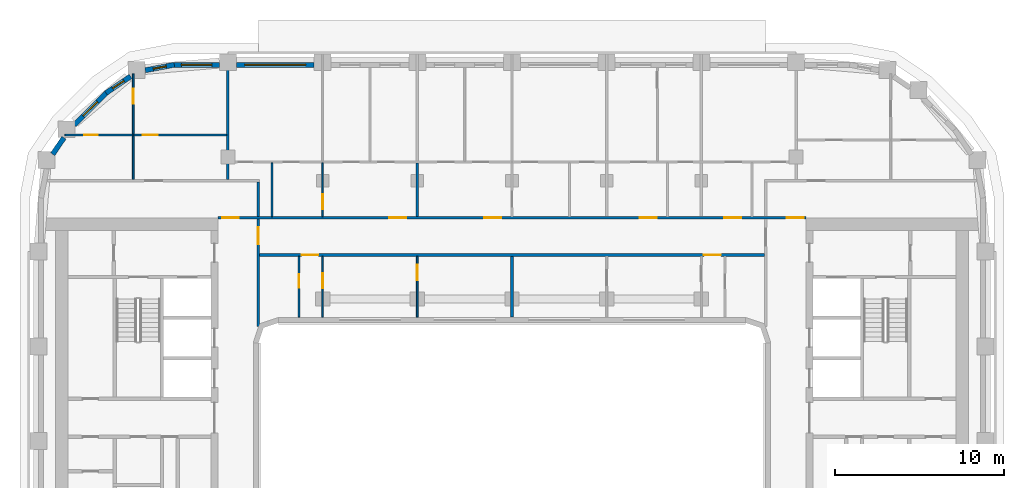
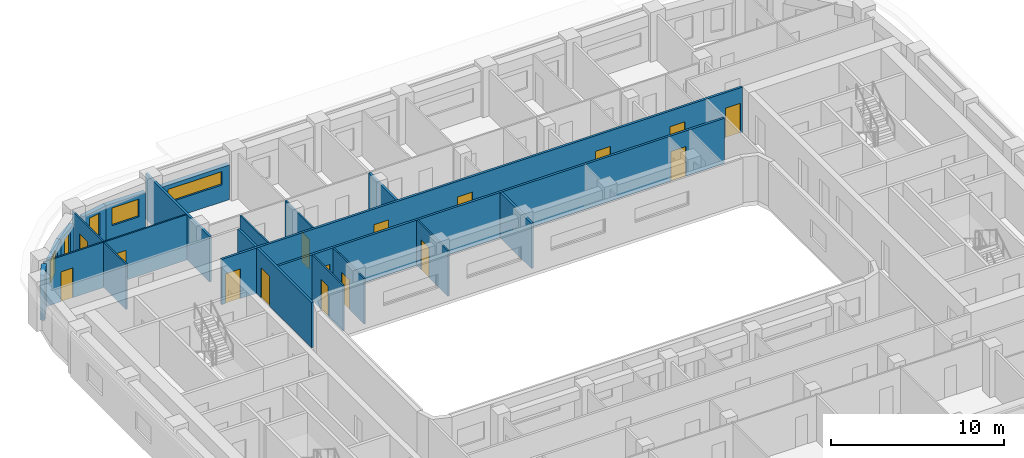
# One storey, part 7 of 22: 21 walls, 16 doors, 5 windows, 21 openings.
"""IFC4 building model written with IfcOpenShell, lengths in metres."""

from ifc_helpers import new_model, si_unit, direction, frame, frame_2d, origin, place, context, subcontext, project, spatial, rectangle, extrude, material, layer, layer_set, type_object, element, fill, save


model = new_model("IFC4")

# Units and contexts
model_context = context("Model", 3, precision=1e-05, world=origin(), true_north=direction((0.0, 1.0)))
body_context = subcontext(model_context, "Body", "Model", "MODEL_VIEW")
ifc_project = project(units=[si_unit("LENGTHUNIT", "METRE"), si_unit("AREAUNIT", "SQUARE_METRE"), si_unit("VOLUMEUNIT", "CUBIC_METRE"), si_unit("PLANEANGLEUNIT", "RADIAN"), si_unit("MASSUNIT", "GRAM", prefix="KILO")], contexts=[model_context])

# Site, building, storey
site_placement = place(None, origin())
site = spatial("IfcSite", under=ifc_project, at=site_placement, CompositionType="ELEMENT")
building_placement = place(site_placement, origin())
building = spatial("IfcBuilding", under=site, at=building_placement, Name="Kiln Ring Residences", CompositionType="ELEMENT")
storey_placement = place(building_placement, frame((0.0, 0.0, 171.10009765625)))
storey = spatial("IfcBuildingStorey", under=building, at=storey_placement, Name="L44", CompositionType="ELEMENT", Elevation=171.10009765625)

# Wall, opening, window
ifc_material_1 = material(Name="Brick masonry, dark clay brick", Category="masonry")
ifc_layer_1 = layer(ifc_material_1, 0.300048828125)
ifc_layer_set_1 = layer_set([ifc_layer_1], Name="EW-300 BRICK WALL")
wall_type_1 = type_object("IfcWallType", Name="EW-300 BRICK WALL", PredefinedType="SOLIDWALL", material=ifc_layer_set_1)
wall_1_placement = place(storey_placement, frame((-11.699951171875, 22.25, 0.0), z_axis=(0.0, 0.0, 1.0), x_axis=(-1.0, 0.0, 0.0)))
wall_1 = element("IfcWall", 1, at=wall_1_placement, inside=storey, type_object=wall_type_1, Name="Facade wall L44 34", PredefinedType="SOLIDWALL", context=body_context, shape_type="SweptSolid", body=[
    extrude(rectangle(XDim=4.60009765625, YDim=0.300048828125, at=frame_2d((2.300048828125, 0.0))), origin(), (0.0, 0.0, 1.0), 2.449951171875),
])
opening_1_placement = place(wall_1_placement, frame((0.5, 0.0, 1.199951171875)))
opening_1 = element("IfcOpeningElement", 2, at=opening_1_placement, cuts=wall_1, Name="Opening W4", PredefinedType="OPENING", context=body_context, shape_type="SweptSolid", body=[
    extrude(rectangle(XDim=3.60009765625, YDim=0.949951171875, at=frame_2d((1.800048828125, 0.47509765625))), frame((0.0, 0.159912109375, 0.0), z_axis=(0.0, -1.0, 0.0), x_axis=(1.0, 0.0, 0.0)), (0.0, 0.0, 1.0), 0.320068359375),
])
ifc_material_2 = material(Name="Aluminium frame with double glazing", Category="aluminium")
window_type_1 = type_object("IfcWindowType", Name="WINDOW 3600 x 950", PartitioningType="SINGLE_PANEL", PredefinedType="WINDOW", material=ifc_material_2)
window_1_placement = place(opening_1_placement, origin())
window_1 = element("IfcWindow", 3, at=window_1_placement, inside=storey, type_object=window_type_1, Name="Window L44 25", OverallHeight=0.949951171875, OverallWidth=3.60009765625, PartitioningType="SINGLE_PANEL", PredefinedType="WINDOW", context=body_context, shape_type="SweptSolid", body=[
    extrude(rectangle(XDim=3.60009765625, YDim=0.949951171875, at=frame_2d((1.800048828125, 0.47509765625))), frame((0.0, 0.030029296875, 0.0), z_axis=(0.0, -1.0, 0.0), x_axis=(1.0, 0.0, 0.0)), (0.0, 0.0, 1.0), 0.06005859375),
])
fill(opening_1, window_1)

wall_2_placement = place(storey_placement, frame((-17.300048828125, 22.25, 0.0), z_axis=(0.0, 0.0, 1.0), x_axis=(-1.0, 0.0, 0.0)))
wall_2 = element("IfcWall", 4, at=wall_2_placement, inside=storey, type_object=wall_type_1, Name="Facade wall L44 35", PredefinedType="SOLIDWALL", context=body_context, shape_type="SweptSolid", body=[
    extrude(rectangle(XDim=2.699951171875, YDim=0.300048828125, at=frame_2d((1.35009765625, 0.0))), origin(), (0.0, 0.0, 1.0), 2.449951171875),
])
opening_2_placement = place(wall_2_placement, frame((0.449951171875, 0.0, 0.89990234375)))
opening_2 = element("IfcOpeningElement", 5, at=opening_2_placement, cuts=wall_2, Name="Opening W2", PredefinedType="OPENING", context=body_context, shape_type="SweptSolid", body=[
    extrude(rectangle(XDim=1.800048828125, YDim=1.25, at=frame_2d((0.89990234375, 0.625))), frame((0.0, 0.159912109375, 0.0), z_axis=(0.0, -1.0, 0.0), x_axis=(1.0, 0.0, 0.0)), (0.0, 0.0, 1.0), 0.320068359375),
])
ifc_material_3 = material(Name="Aluminium frame with double glazing", Category="aluminium")
window_type_2 = type_object("IfcWindowType", Name="WINDOW 1800 x 1250", PartitioningType="SINGLE_PANEL", PredefinedType="WINDOW", material=ifc_material_3)
window_2_placement = place(opening_2_placement, origin())
window_2 = element("IfcWindow", 6, at=window_2_placement, inside=storey, type_object=window_type_2, Name="Window L44 26", OverallHeight=1.25, OverallWidth=1.800048828125, PartitioningType="SINGLE_PANEL", PredefinedType="WINDOW", context=body_context, shape_type="SweptSolid", body=[
    extrude(rectangle(XDim=1.800048828125, YDim=1.25, at=frame_2d((0.89990234375, 0.625))), frame((0.0, 0.030029296875, 0.0), z_axis=(0.0, -1.0, 0.0), x_axis=(1.0, 0.0, 0.0)), (0.0, 0.0, 1.0), 0.06005859375),
])
fill(opening_2, window_2)

wall_3_placement = place(storey_placement, frame((-19.971923828125, 22.252685546875, 0.0), z_axis=(0.0, 0.0, 1.0), x_axis=(-0.982284988433, -0.187393173565, 0.0)))
wall_3 = element("IfcWall", 7, at=wall_3_placement, inside=storey, type_object=wall_type_1, Name="Facade wall L44 36", PredefinedType="SOLIDWALL", context=body_context, shape_type="SweptSolid", body=[
    extrude(rectangle(XDim=1.756103515625, YDim=0.300048828125, at=frame_2d((0.8779296875, 0.0))), origin(), (0.0, 0.0, 1.0), 2.449951171875),
])
opening_3_placement = place(wall_3_placement, frame((0.47802734375, 0.0, 0.60009765625)))
opening_3 = element("IfcOpeningElement", 8, at=opening_3_placement, cuts=wall_3, Name="Opening W5", PredefinedType="OPENING", context=body_context, shape_type="SweptSolid", body=[
    extrude(rectangle(XDim=0.800048828125, YDim=1.550048828125, at=frame_2d((0.39990234375, 0.77490234375))), frame((0.0, 0.159912109375, 0.0), z_axis=(0.0, -1.0, 0.0), x_axis=(1.0, 0.0, 0.0)), (0.0, 0.0, 1.0), 0.320068359375),
])
ifc_material_4 = material(Name="Aluminium frame with double glazing", Category="aluminium")
window_type_3 = type_object("IfcWindowType", Name="WINDOW 800 x 1550", PartitioningType="SINGLE_PANEL", PredefinedType="WINDOW", material=ifc_material_4)
window_3_placement = place(opening_3_placement, origin())
window_3 = element("IfcWindow", 9, at=window_3_placement, inside=storey, type_object=window_type_3, Name="Window L44 27", OverallHeight=1.550048828125, OverallWidth=0.800048828125, PartitioningType="SINGLE_PANEL", PredefinedType="WINDOW", context=body_context, shape_type="SweptSolid", body=[
    extrude(rectangle(XDim=0.800048828125, YDim=1.550048828125, at=frame_2d((0.39990234375, 0.77490234375))), frame((0.0, 0.030029296875, 0.0), z_axis=(0.0, -1.0, 0.0), x_axis=(1.0, 0.0, 0.0)), (0.0, 0.0, 1.0), 0.06005859375),
])
fill(opening_3, window_3)

wall_4_placement = place(storey_placement, frame((-22.560302734375, 21.56591796875, 0.0), z_axis=(0.0, 0.0, 1.0), x_axis=(-0.82707645233, -0.562089443061, 0.0)))
wall_4 = element("IfcWall", 10, at=wall_4_placement, inside=storey, type_object=wall_type_1, Name="Facade wall L44 37", PredefinedType="SOLIDWALL", context=body_context, shape_type="SweptSolid", body=[
    extrude(rectangle(XDim=1.756103515625, YDim=0.300048828125, at=frame_2d((0.8779296875, 0.0))), origin(), (0.0, 0.0, 1.0), 2.449951171875),
])
opening_4_placement = place(wall_4_placement, frame((0.47802734375, 0.0, 0.60009765625)))
opening_4 = element("IfcOpeningElement", 11, at=opening_4_placement, cuts=wall_4, Name="Opening W5", PredefinedType="OPENING", context=body_context, shape_type="SweptSolid", body=[
    extrude(rectangle(XDim=0.800048828125, YDim=1.550048828125, at=frame_2d((0.39990234375, 0.77490234375))), frame((0.0, 0.159912109375, 0.0), z_axis=(0.0, -1.0, 0.0), x_axis=(1.0, 0.0, 0.0)), (0.0, 0.0, 1.0), 0.320068359375),
])
window_4_placement = place(opening_4_placement, origin())
window_4 = element("IfcWindow", 12, at=window_4_placement, inside=storey, type_object=window_type_3, Name="Window L44 28", OverallHeight=1.550048828125, OverallWidth=0.800048828125, PartitioningType="SINGLE_PANEL", PredefinedType="WINDOW", context=body_context, shape_type="SweptSolid", body=[
    extrude(rectangle(XDim=0.800048828125, YDim=1.550048828125, at=frame_2d((0.39990234375, 0.77490234375))), frame((0.0, 0.030029296875, 0.0), z_axis=(0.0, -1.0, 0.0), x_axis=(1.0, 0.0, 0.0)), (0.0, 0.0, 1.0), 0.06005859375),
])
fill(opening_4, window_4)

wall_5_placement = place(storey_placement, frame((-23.990966796875, 20.596923828125, 0.0), z_axis=(0.0, 0.0, 1.0), x_axis=(-0.707106781187, -0.707106781187, 0.0)))
wall_5 = element("IfcWall", 13, at=wall_5_placement, inside=storey, type_object=wall_type_1, Name="Facade wall L44 38", PredefinedType="SOLIDWALL", context=body_context, shape_type="SweptSolid", body=[
    extrude(rectangle(XDim=2.699951171875, YDim=0.300048828125, at=frame_2d((1.35009765625, 0.0))), origin(), (0.0, 0.0, 1.0), 2.449951171875),
])
opening_5_placement = place(wall_5_placement, frame((0.75, 0.0, 0.60009765625)))
opening_5 = element("IfcOpeningElement", 14, at=opening_5_placement, cuts=wall_5, Name="Opening W1", PredefinedType="OPENING", context=body_context, shape_type="SweptSolid", body=[
    extrude(rectangle(XDim=1.199951171875, YDim=1.550048828125, at=frame_2d((0.60009765625, 0.77490234375))), frame((0.0, 0.159912109375, 0.0), z_axis=(0.0, -1.0, 0.0), x_axis=(1.0, 0.0, 0.0)), (0.0, 0.0, 1.0), 0.320068359375),
])
ifc_material_5 = material(Name="Aluminium frame with double glazing", Category="aluminium")
window_type_4 = type_object("IfcWindowType", Name="WINDOW 1200 x 1550", PartitioningType="SINGLE_PANEL", PredefinedType="WINDOW", material=ifc_material_5)
window_5_placement = place(opening_5_placement, origin())
window_5 = element("IfcWindow", 15, at=window_5_placement, inside=storey, type_object=window_type_4, Name="Window L44 29", OverallHeight=1.550048828125, OverallWidth=1.199951171875, PartitioningType="SINGLE_PANEL", PredefinedType="WINDOW", context=body_context, shape_type="SweptSolid", body=[
    extrude(rectangle(XDim=1.199951171875, YDim=1.550048828125, at=frame_2d((0.60009765625, 0.77490234375))), frame((0.0, 0.030029296875, 0.0), z_axis=(0.0, -1.0, 0.0), x_axis=(1.0, 0.0, 0.0)), (0.0, 0.0, 1.0), 0.06005859375),
])
fill(opening_5, window_5)

# Wall
wall_6_placement = place(storey_placement, frame((-26.50439453125, 17.933837890625, 0.0), z_axis=(0.0, 0.0, 1.0), x_axis=(-0.562145470373, -0.827038372833, 0.0)))
element("IfcWall", 16, at=wall_6_placement, inside=storey, type_object=wall_type_1, Name="Facade wall L44 39", PredefinedType="SOLIDWALL", context=body_context, shape_type="SweptSolid", body=[
    extrude(rectangle(XDim=1.177001953125, YDim=0.300048828125, at=frame_2d((0.58837890625, 0.0))), origin(), (0.0, 0.0, 1.0), 3.199951171875),
])

# Wall, openings, doors
ifc_material_6 = material(Name="Gypsum board on steel studs", Category="steel")
ifc_layer_2 = layer(ifc_material_6, 0.10009765625)
ifc_layer_set_2 = layer_set([ifc_layer_2], Name="PARTITION-100")
wall_type_2 = type_object("IfcWallType", Name="PARTITION-100", PredefinedType="PARTITIONING", material=ifc_layer_set_2)
wall_7_placement = place(storey_placement, frame((-26.43994140625, 18.10009765625, 0.0), z_axis=(0.0, 0.0, 1.0), x_axis=(1.0, 0.0, 0.0)))
wall_7 = element("IfcWall", 17, at=wall_7_placement, inside=storey, type_object=wall_type_2, Name="Partition 013", PredefinedType="PARTITIONING", context=body_context, shape_type="SweptSolid", body=[
    extrude(rectangle(XDim=9.56494140625, YDim=0.10009765625, at=frame_2d((4.782470703125, 0.0))), origin(), (0.0, 0.0, 1.0), 3.199951171875),
])
opening_6_placement = place(wall_7_placement, frame((1.1259765625, 0.0, 0.0)))
opening_6 = element("IfcOpeningElement", 18, at=opening_6_placement, cuts=wall_7, Name="Opening L44-D041", PredefinedType="OPENING", context=body_context, shape_type="SweptSolid", body=[
    extrude(rectangle(XDim=0.800048828125, YDim=2.10009765625, at=frame_2d((0.39990234375, 1.050048828125))), frame((0.0, 0.06005859375, 0.0), z_axis=(0.0, -1.0, 0.0), x_axis=(1.0, 0.0, 0.0)), (0.0, 0.0, 1.0), 0.1201171875),
])
opening_7_placement = place(wall_7_placement, frame((4.590087890625, 0.0, 0.0)))
opening_7 = element("IfcOpeningElement", 19, at=opening_7_placement, cuts=wall_7, Name="Opening L44-D042", PredefinedType="OPENING", context=body_context, shape_type="SweptSolid", body=[
    extrude(rectangle(XDim=0.89990234375, YDim=2.10009765625, at=frame_2d((0.449951171875, 1.050048828125))), frame((0.0, 0.06005859375, 0.0), z_axis=(0.0, -1.0, 0.0), x_axis=(1.0, 0.0, 0.0)), (0.0, 0.0, 1.0), 0.1201171875),
])
ifc_material_7 = material(Name="Timber door leaf", Category="wood")
door_type_1 = type_object("IfcDoorType", Name="FLAT-DOOR-800-PL", OperationType="SINGLE_SWING_LEFT", PredefinedType="DOOR", material=ifc_material_7)
door_1_placement = place(opening_6_placement, origin())
door_1 = element("IfcDoor", 20, at=door_1_placement, inside=storey, type_object=door_type_1, Name="Door L44-D041", OperationType="SINGLE_SWING_LEFT", OverallHeight=2.10009765625, OverallWidth=0.800048828125, PredefinedType="DOOR", context=body_context, shape_type="SweptSolid", body=[
    extrude(rectangle(XDim=0.800048828125, YDim=2.10009765625, at=frame_2d((0.39990234375, 1.050048828125))), frame((0.0, 0.02490234375, 0.0), z_axis=(0.0, -1.0, 0.0), x_axis=(1.0, 0.0, 0.0)), (0.0, 0.0, 1.0), 0.050048828125),
])
fill(opening_6, door_1)
ifc_material_8 = material(Name="Timber door leaf", Category="wood")
door_type_2 = type_object("IfcDoorType", Name="FLAT-DOOR-900-PL", OperationType="SINGLE_SWING_LEFT", PredefinedType="DOOR", material=ifc_material_8)
door_2_placement = place(opening_7_placement, origin())
door_2 = element("IfcDoor", 21, at=door_2_placement, inside=storey, type_object=door_type_2, Name="Door L44-D042", OperationType="SINGLE_SWING_RIGHT", OverallHeight=2.10009765625, OverallWidth=0.89990234375, PredefinedType="DOOR", context=body_context, shape_type="SweptSolid", body=[
    extrude(rectangle(XDim=0.89990234375, YDim=2.10009765625, at=frame_2d((0.449951171875, 1.050048828125))), frame((0.0, 0.02490234375, 0.0), z_axis=(0.0, -1.0, 0.0), x_axis=(1.0, 0.0, 0.0)), (0.0, 0.0, 1.0), 0.050048828125),
])
fill(opening_7, door_2)

# Wall
wall_8_placement = place(storey_placement, frame((-22.39990234375, 15.47509765625, 0.0), z_axis=(0.0, 0.0, 1.0), x_axis=(0.0, 1.0, 0.0)))
element("IfcWall", 22, at=wall_8_placement, inside=storey, type_object=wall_type_2, Name="Partition 016", PredefinedType="PARTITIONING", context=body_context, shape_type="SweptSolid", body=[
    extrude(rectangle(XDim=2.574951171875, YDim=0.10009765625, at=frame_2d((1.28759765625, 0.0))), origin(), (0.0, 0.0, 1.0), 3.199951171875),
])

# Wall, opening, door
wall_9_placement = place(storey_placement, frame((-22.39990234375, 18.14990234375, 0.0), z_axis=(0.0, 0.0, 1.0), x_axis=(0.0, 1.0, 0.0)))
wall_9 = element("IfcWall", 23, at=wall_9_placement, inside=storey, type_object=wall_type_2, Name="Partition 017", PredefinedType="PARTITIONING", context=body_context, shape_type="SweptSolid", body=[
    extrude(rectangle(XDim=3.570068359375, YDim=0.10009765625, at=frame_2d((1.78515625, 0.0))), origin(), (0.0, 0.0, 1.0), 3.199951171875),
])
opening_8_placement = place(wall_9_placement, frame((1.798095703125, 0.0, 0.0)))
opening_8 = element("IfcOpeningElement", 24, at=opening_8_placement, cuts=wall_9, Name="Opening L44-D043", PredefinedType="OPENING", context=body_context, shape_type="SweptSolid", body=[
    extrude(rectangle(XDim=0.89990234375, YDim=2.10009765625, at=frame_2d((0.449951171875, 1.050048828125))), frame((0.0, 0.06005859375, 0.0), z_axis=(0.0, -1.0, 0.0), x_axis=(1.0, 0.0, 0.0)), (0.0, 0.0, 1.0), 0.1201171875),
])
door_3_placement = place(opening_8_placement, origin())
door_3 = element("IfcDoor", 25, at=door_3_placement, inside=storey, type_object=door_type_2, Name="Door L44-D043", OperationType="SINGLE_SWING_LEFT", OverallHeight=2.10009765625, OverallWidth=0.89990234375, PredefinedType="DOOR", context=body_context, shape_type="SweptSolid", body=[
    extrude(rectangle(XDim=0.89990234375, YDim=2.10009765625, at=frame_2d((0.449951171875, 1.050048828125))), frame((0.0, 0.02490234375, 0.0), z_axis=(0.0, -1.0, 0.0), x_axis=(1.0, 0.0, 0.0)), (0.0, 0.0, 1.0), 0.050048828125),
])
fill(opening_8, door_3)

# Wall
wall_10_placement = place(storey_placement, frame((-14.199951171875, 13.27490234375, 0.0), z_axis=(0.0, 0.0, 1.0), x_axis=(0.0, 1.0, 0.0)))
element("IfcWall", 26, at=wall_10_placement, inside=storey, type_object=wall_type_2, Name="Partition 024", PredefinedType="PARTITIONING", context=body_context, shape_type="SweptSolid", body=[
    extrude(rectangle(XDim=3.175048828125, YDim=0.10009765625, at=frame_2d((1.58740234375, 0.0))), origin(), (0.0, 0.0, 1.0), 3.199951171875),
])

# Wall, opening, door
wall_11_placement = place(storey_placement, frame((-12.60009765625, 7.320068359375, 0.0), z_axis=(0.0, 0.0, 1.0), x_axis=(0.0, 1.0, 0.0)))
wall_11 = element("IfcWall", 27, at=wall_11_placement, inside=storey, type_object=wall_type_2, Name="Partition 025", PredefinedType="PARTITIONING", context=body_context, shape_type="SweptSolid", body=[
    extrude(rectangle(XDim=3.60498046875, YDim=0.10009765625, at=frame_2d((1.802490234375, 0.0))), origin(), (0.0, 0.0, 1.0), 3.199951171875),
])
opening_9_placement = place(wall_11_placement, frame((1.72900390625, 0.0, 0.0)))
opening_9 = element("IfcOpeningElement", 28, at=opening_9_placement, cuts=wall_11, Name="Opening L44-D010", PredefinedType="OPENING", context=body_context, shape_type="SweptSolid", body=[
    extrude(rectangle(XDim=0.800048828125, YDim=2.10009765625, at=frame_2d((0.39990234375, 1.050048828125))), frame((0.0, 0.06005859375, 0.0), z_axis=(0.0, -1.0, 0.0), x_axis=(1.0, 0.0, 0.0)), (0.0, 0.0, 1.0), 0.1201171875),
])
door_4_placement = place(opening_9_placement, origin())
door_4 = element("IfcDoor", 29, at=door_4_placement, inside=storey, type_object=door_type_1, Name="Door L44-D010", OperationType="SINGLE_SWING_LEFT", OverallHeight=2.10009765625, OverallWidth=0.800048828125, PredefinedType="DOOR", context=body_context, shape_type="SweptSolid", body=[
    extrude(rectangle(XDim=0.800048828125, YDim=2.10009765625, at=frame_2d((0.39990234375, 1.050048828125))), frame((0.0, 0.02490234375, 0.0), z_axis=(0.0, -1.0, 0.0), x_axis=(1.0, 0.0, 0.0)), (0.0, 0.0, 1.0), 0.050048828125),
])
fill(opening_9, door_4)

wall_12_placement = place(storey_placement, frame((-11.199951171875, 7.320068359375, 0.0), z_axis=(0.0, 0.0, 1.0), x_axis=(0.0, 1.0, 0.0)))
wall_12 = element("IfcWall", 30, at=wall_12_placement, inside=storey, type_object=wall_type_2, Name="Partition 029", PredefinedType="PARTITIONING", context=body_context, shape_type="SweptSolid", body=[
    extrude(rectangle(XDim=3.60498046875, YDim=0.10009765625, at=frame_2d((1.802490234375, 0.0))), origin(), (0.0, 0.0, 1.0), 3.199951171875),
])
opening_10_placement = place(wall_12_placement, frame((1.699951171875, 0.0, 0.0)))
opening_10 = element("IfcOpeningElement", 31, at=opening_10_placement, cuts=wall_12, Name="Opening L44-D011", PredefinedType="OPENING", context=body_context, shape_type="SweptSolid", body=[
    extrude(rectangle(XDim=0.89990234375, YDim=2.10009765625, at=frame_2d((0.449951171875, 1.050048828125))), frame((0.0, 0.06005859375, 0.0), z_axis=(0.0, -1.0, 0.0), x_axis=(1.0, 0.0, 0.0)), (0.0, 0.0, 1.0), 0.1201171875),
])
door_5_placement = place(opening_10_placement, origin())
door_5 = element("IfcDoor", 32, at=door_5_placement, inside=storey, type_object=door_type_2, Name="Door L44-D011", OperationType="SINGLE_SWING_RIGHT", OverallHeight=2.10009765625, OverallWidth=0.89990234375, PredefinedType="DOOR", context=body_context, shape_type="SweptSolid", body=[
    extrude(rectangle(XDim=0.89990234375, YDim=2.10009765625, at=frame_2d((0.449951171875, 1.050048828125))), frame((0.0, 0.02490234375, 0.0), z_axis=(0.0, -1.0, 0.0), x_axis=(1.0, 0.0, 0.0)), (0.0, 0.0, 1.0), 0.050048828125),
])
fill(opening_10, door_5)

wall_13_placement = place(storey_placement, frame((-11.199951171875, 13.27490234375, 0.0), z_axis=(0.0, 0.0, 1.0), x_axis=(0.0, 1.0, 0.0)))
wall_13 = element("IfcWall", 33, at=wall_13_placement, inside=storey, type_object=wall_type_2, Name="Partition 030", PredefinedType="PARTITIONING", context=body_context, shape_type="SweptSolid", body=[
    extrude(rectangle(XDim=3.175048828125, YDim=0.10009765625, at=frame_2d((1.58740234375, 0.0))), origin(), (0.0, 0.0, 1.0), 3.199951171875),
])
opening_11_placement = place(wall_13_placement, frame((0.425048828125, 0.0, 0.0)))
opening_11 = element("IfcOpeningElement", 34, at=opening_11_placement, cuts=wall_13, Name="Opening L44-D018", PredefinedType="OPENING", context=body_context, shape_type="SweptSolid", body=[
    extrude(rectangle(XDim=0.89990234375, YDim=2.10009765625, at=frame_2d((0.449951171875, 1.050048828125))), frame((0.0, 0.06005859375, 0.0), z_axis=(0.0, -1.0, 0.0), x_axis=(1.0, 0.0, 0.0)), (0.0, 0.0, 1.0), 0.1201171875),
])
door_6_placement = place(opening_11_placement, origin())
door_6 = element("IfcDoor", 35, at=door_6_placement, inside=storey, type_object=door_type_2, Name="Door L44-D018", OperationType="SINGLE_SWING_RIGHT", OverallHeight=2.10009765625, OverallWidth=0.89990234375, PredefinedType="DOOR", context=body_context, shape_type="SweptSolid", body=[
    extrude(rectangle(XDim=0.89990234375, YDim=2.10009765625, at=frame_2d((0.449951171875, 1.050048828125))), frame((0.0, 0.02490234375, 0.0), z_axis=(0.0, -1.0, 0.0), x_axis=(1.0, 0.0, 0.0)), (0.0, 0.0, 1.0), 0.050048828125),
])
fill(opening_11, door_6)

wall_14_placement = place(storey_placement, frame((-5.60009765625, 7.320068359375, 0.0), z_axis=(0.0, 0.0, 1.0), x_axis=(0.0, 1.0, 0.0)))
wall_14 = element("IfcWall", 36, at=wall_14_placement, inside=storey, type_object=wall_type_2, Name="Partition 034", PredefinedType="PARTITIONING", context=body_context, shape_type="SweptSolid", body=[
    extrude(rectangle(XDim=3.60498046875, YDim=0.10009765625, at=frame_2d((1.802490234375, 0.0))), origin(), (0.0, 0.0, 1.0), 3.199951171875),
])
opening_12_placement = place(wall_14_placement, frame((2.199951171875, 0.0, 0.0)))
opening_12 = element("IfcOpeningElement", 37, at=opening_12_placement, cuts=wall_14, Name="Opening L44-D012", PredefinedType="OPENING", context=body_context, shape_type="SweptSolid", body=[
    extrude(rectangle(XDim=0.89990234375, YDim=2.10009765625, at=frame_2d((0.449951171875, 1.050048828125))), frame((0.0, 0.06005859375, 0.0), z_axis=(0.0, -1.0, 0.0), x_axis=(1.0, 0.0, 0.0)), (0.0, 0.0, 1.0), 0.1201171875),
])
door_7_placement = place(opening_12_placement, origin())
door_7 = element("IfcDoor", 38, at=door_7_placement, inside=storey, type_object=door_type_2, Name="Door L44-D012", OperationType="SINGLE_SWING_RIGHT", OverallHeight=2.10009765625, OverallWidth=0.89990234375, PredefinedType="DOOR", context=body_context, shape_type="SweptSolid", body=[
    extrude(rectangle(XDim=0.89990234375, YDim=2.10009765625, at=frame_2d((0.449951171875, 1.050048828125))), frame((0.0, 0.02490234375, 0.0), z_axis=(0.0, -1.0, 0.0), x_axis=(1.0, 0.0, 0.0)), (0.0, 0.0, 1.0), 0.050048828125),
])
fill(opening_12, door_7)

# Wall, openings, doors
ifc_material_9 = material(Name="Brick masonry partition", Category="masonry")
ifc_layer_3 = layer(ifc_material_9, 0.14990234375)
ifc_layer_set_3 = layer_set([ifc_layer_3], Name="PARTITION-150-ei60")
wall_type_3 = type_object("IfcWallType", Name="PARTITION-150-ei60", PredefinedType="PARTITIONING", material=ifc_layer_set_3)
wall_15_placement = place(storey_placement, frame((-14.925048828125, 11.0, 0.0), z_axis=(0.0, 0.0, 1.0), x_axis=(1.0, 0.0, 0.0)))
wall_15 = element("IfcWall", 39, at=wall_15_placement, inside=storey, type_object=wall_type_3, Name="Partition 007", PredefinedType="PARTITIONING", context=body_context, shape_type="SweptSolid", body=[
    extrude(rectangle(XDim=29.85009765625, YDim=0.14990234375, at=frame_2d((14.925048828125, 0.0))), origin(), (0.0, 0.0, 1.0), 3.199951171875),
])
opening_13_placement = place(wall_15_placement, frame((2.47509765625, 0.0, 0.0)))
opening_13 = element("IfcOpeningElement", 40, at=opening_13_placement, cuts=wall_15, Name="Opening L44-D009", PredefinedType="OPENING", context=body_context, shape_type="SweptSolid", body=[
    extrude(rectangle(XDim=1.0, YDim=2.10009765625, at=frame_2d((0.5, 1.050048828125))), frame((0.0, 0.0849609375, 0.0), z_axis=(0.0, -1.0, 0.0), x_axis=(1.0, 0.0, 0.0)), (0.0, 0.0, 1.0), 0.169921875),
])
opening_14_placement = place(wall_15_placement, frame((26.27490234375, 0.0, 0.0)))
opening_14 = element("IfcOpeningElement", 41, at=opening_14_placement, cuts=wall_15, Name="Opening L44-D013", PredefinedType="OPENING", context=body_context, shape_type="SweptSolid", body=[
    extrude(rectangle(XDim=1.0, YDim=2.10009765625, at=frame_2d((0.5, 1.050048828125))), frame((0.0, 0.0849609375, 0.0), z_axis=(0.0, -1.0, 0.0), x_axis=(1.0, 0.0, 0.0)), (0.0, 0.0, 1.0), 0.169921875),
])
ifc_material_10 = material(Name="Steel faced fire door leaf", Category="steel")
door_type_3 = type_object("IfcDoorType", Name="FLAT-DOOR-1000-FR", OperationType="SINGLE_SWING_LEFT", PredefinedType="DOOR", material=ifc_material_10)
door_8_placement = place(opening_13_placement, origin())
door_8 = element("IfcDoor", 42, at=door_8_placement, inside=storey, type_object=door_type_3, Name="Door L44-D009", OperationType="SINGLE_SWING_LEFT", OverallHeight=2.10009765625, OverallWidth=1.0, PredefinedType="DOOR", context=body_context, shape_type="SweptSolid", body=[
    extrude(rectangle(XDim=1.0, YDim=2.10009765625, at=frame_2d((0.5, 1.050048828125))), frame((0.0, 0.02490234375, 0.0), z_axis=(0.0, -1.0, 0.0), x_axis=(1.0, 0.0, 0.0)), (0.0, 0.0, 1.0), 0.050048828125),
])
fill(opening_13, door_8)
door_9_placement = place(opening_14_placement, origin())
door_9 = element("IfcDoor", 43, at=door_9_placement, inside=storey, type_object=door_type_3, Name="Door L44-D013", OperationType="SINGLE_SWING_LEFT", OverallHeight=2.10009765625, OverallWidth=1.0, PredefinedType="DOOR", context=body_context, shape_type="SweptSolid", body=[
    extrude(rectangle(XDim=1.0, YDim=2.10009765625, at=frame_2d((0.5, 1.050048828125))), frame((0.0, 0.02490234375, 0.0), z_axis=(0.0, -1.0, 0.0), x_axis=(1.0, 0.0, 0.0)), (0.0, 0.0, 1.0), 0.050048828125),
])
fill(opening_14, door_9)

wall_16_placement = place(storey_placement, frame((-17.39990234375, 13.199951171875, 0.0), z_axis=(0.0, 0.0, 1.0), x_axis=(1.0, 0.0, 0.0)))
wall_16 = element("IfcWall", 44, at=wall_16_placement, inside=storey, type_object=wall_type_3, Name="Partition 008", PredefinedType="PARTITIONING", context=body_context, shape_type="SweptSolid", body=[
    extrude(rectangle(XDim=34.7998046875, YDim=0.14990234375, at=frame_2d((17.39990234375, 0.0))), origin(), (0.0, 0.0, 1.0), 3.199951171875),
])
opening_15_placement = place(wall_16_placement, frame((0.25, 0.0, 0.0)))
opening_15 = element("IfcOpeningElement", 45, at=opening_15_placement, cuts=wall_16, Name="Opening L44-D003", PredefinedType="OPENING", context=body_context, shape_type="SweptSolid", body=[
    extrude(rectangle(XDim=1.0, YDim=2.10009765625, at=frame_2d((0.5, 1.050048828125))), frame((0.0, 0.0849609375, 0.0), z_axis=(0.0, -1.0, 0.0), x_axis=(1.0, 0.0, 0.0)), (0.0, 0.0, 1.0), 0.169921875),
])
opening_16_placement = place(wall_16_placement, frame((33.64990234375, 0.0, 0.0)))
opening_16 = element("IfcOpeningElement", 46, at=opening_16_placement, cuts=wall_16, Name="Opening L44-D004", PredefinedType="OPENING", context=body_context, shape_type="SweptSolid", body=[
    extrude(rectangle(XDim=1.0, YDim=2.10009765625, at=frame_2d((0.5, 1.050048828125))), frame((0.0, 0.0849609375, 0.0), z_axis=(0.0, -1.0, 0.0), x_axis=(1.0, 0.0, 0.0)), (0.0, 0.0, 1.0), 0.169921875),
])
opening_17_placement = place(wall_16_placement, frame((10.14990234375, 0.0, 0.0)))
opening_17 = element("IfcOpeningElement", 47, at=opening_17_placement, cuts=wall_16, Name="Opening L44-D017", PredefinedType="OPENING", context=body_context, shape_type="SweptSolid", body=[
    extrude(rectangle(XDim=1.0, YDim=2.10009765625, at=frame_2d((0.5, 1.050048828125))), frame((0.0, 0.0849609375, 0.0), z_axis=(0.0, -1.0, 0.0), x_axis=(1.0, 0.0, 0.0)), (0.0, 0.0, 1.0), 0.169921875),
])
opening_18_placement = place(wall_16_placement, frame((15.75, 0.0, 0.0)))
opening_18 = element("IfcOpeningElement", 48, at=opening_18_placement, cuts=wall_16, Name="Opening L44-D023", PredefinedType="OPENING", context=body_context, shape_type="SweptSolid", body=[
    extrude(rectangle(XDim=1.0, YDim=2.10009765625, at=frame_2d((0.5, 1.050048828125))), frame((0.0, 0.0849609375, 0.0), z_axis=(0.0, -1.0, 0.0), x_axis=(1.0, 0.0, 0.0)), (0.0, 0.0, 1.0), 0.169921875),
])
opening_19_placement = place(wall_16_placement, frame((24.949951171875, 0.0, 0.0)))
opening_19 = element("IfcOpeningElement", 49, at=opening_19_placement, cuts=wall_16, Name="Opening L44-D029", PredefinedType="OPENING", context=body_context, shape_type="SweptSolid", body=[
    extrude(rectangle(XDim=1.0, YDim=2.10009765625, at=frame_2d((0.5, 1.050048828125))), frame((0.0, 0.0849609375, 0.0), z_axis=(0.0, -1.0, 0.0), x_axis=(1.0, 0.0, 0.0)), (0.0, 0.0, 1.0), 0.169921875),
])
opening_20_placement = place(wall_16_placement, frame((29.949951171875, 0.0, 0.0)))
opening_20 = element("IfcOpeningElement", 50, at=opening_20_placement, cuts=wall_16, Name="Opening L44-D033", PredefinedType="OPENING", context=body_context, shape_type="SweptSolid", body=[
    extrude(rectangle(XDim=1.0, YDim=2.10009765625, at=frame_2d((0.5, 1.050048828125))), frame((0.0, 0.0849609375, 0.0), z_axis=(0.0, -1.0, 0.0), x_axis=(1.0, 0.0, 0.0)), (0.0, 0.0, 1.0), 0.169921875),
])
door_10_placement = place(opening_15_placement, origin())
door_10 = element("IfcDoor", 51, at=door_10_placement, inside=storey, type_object=door_type_3, Name="Door L44-D003", OperationType="SINGLE_SWING_LEFT", OverallHeight=2.10009765625, OverallWidth=1.0, PredefinedType="DOOR", context=body_context, shape_type="SweptSolid", body=[
    extrude(rectangle(XDim=1.0, YDim=2.10009765625, at=frame_2d((0.5, 1.050048828125))), frame((0.0, 0.02490234375, 0.0), z_axis=(0.0, -1.0, 0.0), x_axis=(1.0, 0.0, 0.0)), (0.0, 0.0, 1.0), 0.050048828125),
])
fill(opening_15, door_10)
door_11_placement = place(opening_16_placement, origin())
door_11 = element("IfcDoor", 52, at=door_11_placement, inside=storey, type_object=door_type_3, Name="Door L44-D004", OperationType="SINGLE_SWING_RIGHT", OverallHeight=2.10009765625, OverallWidth=1.0, PredefinedType="DOOR", context=body_context, shape_type="SweptSolid", body=[
    extrude(rectangle(XDim=1.0, YDim=2.10009765625, at=frame_2d((0.5, 1.050048828125))), frame((0.0, 0.02490234375, 0.0), z_axis=(0.0, -1.0, 0.0), x_axis=(1.0, 0.0, 0.0)), (0.0, 0.0, 1.0), 0.050048828125),
])
fill(opening_16, door_11)
door_12_placement = place(opening_17_placement, origin())
door_12 = element("IfcDoor", 53, at=door_12_placement, inside=storey, type_object=door_type_3, Name="Door L44-D017", OperationType="SINGLE_SWING_LEFT", OverallHeight=2.10009765625, OverallWidth=1.0, PredefinedType="DOOR", context=body_context, shape_type="SweptSolid", body=[
    extrude(rectangle(XDim=1.0, YDim=2.10009765625, at=frame_2d((0.5, 1.050048828125))), frame((0.0, 0.02490234375, 0.0), z_axis=(0.0, -1.0, 0.0), x_axis=(1.0, 0.0, 0.0)), (0.0, 0.0, 1.0), 0.050048828125),
])
fill(opening_17, door_12)
door_13_placement = place(opening_18_placement, origin())
door_13 = element("IfcDoor", 54, at=door_13_placement, inside=storey, type_object=door_type_3, Name="Door L44-D023", OperationType="SINGLE_SWING_LEFT", OverallHeight=2.10009765625, OverallWidth=1.0, PredefinedType="DOOR", context=body_context, shape_type="SweptSolid", body=[
    extrude(rectangle(XDim=1.0, YDim=2.10009765625, at=frame_2d((0.5, 1.050048828125))), frame((0.0, 0.02490234375, 0.0), z_axis=(0.0, -1.0, 0.0), x_axis=(1.0, 0.0, 0.0)), (0.0, 0.0, 1.0), 0.050048828125),
])
fill(opening_18, door_13)
door_14_placement = place(opening_19_placement, origin())
door_14 = element("IfcDoor", 55, at=door_14_placement, inside=storey, type_object=door_type_3, Name="Door L44-D029", OperationType="SINGLE_SWING_LEFT", OverallHeight=2.10009765625, OverallWidth=1.0, PredefinedType="DOOR", context=body_context, shape_type="SweptSolid", body=[
    extrude(rectangle(XDim=1.0, YDim=2.10009765625, at=frame_2d((0.5, 1.050048828125))), frame((0.0, 0.02490234375, 0.0), z_axis=(0.0, -1.0, 0.0), x_axis=(1.0, 0.0, 0.0)), (0.0, 0.0, 1.0), 0.050048828125),
])
fill(opening_19, door_14)
door_15_placement = place(opening_20_placement, origin())
door_15 = element("IfcDoor", 56, at=door_15_placement, inside=storey, type_object=door_type_3, Name="Door L44-D033", OperationType="SINGLE_SWING_LEFT", OverallHeight=2.10009765625, OverallWidth=1.0, PredefinedType="DOOR", context=body_context, shape_type="SweptSolid", body=[
    extrude(rectangle(XDim=1.0, YDim=2.10009765625, at=frame_2d((0.5, 1.050048828125))), frame((0.0, 0.02490234375, 0.0), z_axis=(0.0, -1.0, 0.0), x_axis=(1.0, 0.0, 0.0)), (0.0, 0.0, 1.0), 0.050048828125),
])
fill(opening_20, door_15)

# Wall
wall_17_placement = place(storey_placement, frame((-16.800048828125, 15.47509765625, 0.0), z_axis=(0.0, 0.0, 1.0), x_axis=(0.0, 1.0, 0.0)))
element("IfcWall", 57, at=wall_17_placement, inside=storey, type_object=wall_type_3, Name="Partition 019", PredefinedType="PARTITIONING", context=body_context, shape_type="SweptSolid", body=[
    extrude(rectangle(XDim=7.40478515625, YDim=0.14990234375, at=frame_2d((3.702392578125, 0.0))), origin(), (0.0, 0.0, 1.0), 3.199951171875),
])

# Wall, opening, door
wall_18_placement = place(storey_placement, frame((-15.0, 6.768798828125, 0.0), z_axis=(0.0, 0.0, 1.0), x_axis=(0.0, 1.0, 0.0)))
wall_18 = element("IfcWall", 58, at=wall_18_placement, inside=storey, type_object=wall_type_3, Name="Partition 022", PredefinedType="PARTITIONING", context=body_context, shape_type="SweptSolid", body=[
    extrude(rectangle(XDim=6.356201171875, YDim=0.14990234375, at=frame_2d((3.17822265625, 0.0))), origin(), (0.0, 0.0, 1.0), 3.199951171875),
])
opening_21_placement = place(wall_18_placement, frame((4.860107421875, 0.0, 0.0)))
opening_21 = element("IfcOpeningElement", 59, at=opening_21_placement, cuts=wall_18, Name="Opening L44-D001", PredefinedType="OPENING", context=body_context, shape_type="SweptSolid", body=[
    extrude(rectangle(XDim=1.0, YDim=2.10009765625, at=frame_2d((0.5, 1.050048828125))), frame((0.0, 0.0849609375, 0.0), z_axis=(0.0, -1.0, 0.0), x_axis=(1.0, 0.0, 0.0)), (0.0, 0.0, 1.0), 0.169921875),
])
door_16_placement = place(opening_21_placement, origin())
door_16 = element("IfcDoor", 60, at=door_16_placement, inside=storey, type_object=door_type_3, Name="Door L44-D001", OperationType="SINGLE_SWING_RIGHT", OverallHeight=2.10009765625, OverallWidth=1.0, PredefinedType="DOOR", context=body_context, shape_type="SweptSolid", body=[
    extrude(rectangle(XDim=1.0, YDim=2.10009765625, at=frame_2d((0.5, 1.050048828125))), frame((0.0, 0.02490234375, 0.0), z_axis=(0.0, -1.0, 0.0), x_axis=(1.0, 0.0, 0.0)), (0.0, 0.0, 1.0), 0.050048828125),
])
fill(opening_21, door_16)

# Walls
wall_19_placement = place(storey_placement, frame((-15.0, 13.27490234375, 0.0), z_axis=(0.0, 0.0, 1.0), x_axis=(0.0, 1.0, 0.0)))
element("IfcWall", 61, at=wall_19_placement, inside=storey, type_object=wall_type_3, Name="Partition 023", PredefinedType="PARTITIONING", context=body_context, shape_type="SweptSolid", body=[
    extrude(rectangle(XDim=2.050048828125, YDim=0.14990234375, at=frame_2d((1.02490234375, 0.0))), origin(), (0.0, 0.0, 1.0), 3.199951171875),
])
wall_20_placement = place(storey_placement, frame((-5.60009765625, 13.27490234375, 0.0), z_axis=(0.0, 0.0, 1.0), x_axis=(0.0, 1.0, 0.0)))
element("IfcWall", 62, at=wall_20_placement, inside=storey, type_object=wall_type_3, Name="Partition 037", PredefinedType="PARTITIONING", context=body_context, shape_type="SweptSolid", body=[
    extrude(rectangle(XDim=3.175048828125, YDim=0.14990234375, at=frame_2d((1.58740234375, 0.0))), origin(), (0.0, 0.0, 1.0), 3.199951171875),
])
wall_21_placement = place(storey_placement, frame((0.0, 7.320068359375, 0.0), z_axis=(0.0, 0.0, 1.0), x_axis=(0.0, 1.0, 0.0)))
element("IfcWall", 63, at=wall_21_placement, inside=storey, type_object=wall_type_3, Name="Partition 046", PredefinedType="PARTITIONING", context=body_context, shape_type="SweptSolid", body=[
    extrude(rectangle(XDim=3.60498046875, YDim=0.14990234375, at=frame_2d((1.802490234375, 0.0))), origin(), (0.0, 0.0, 1.0), 3.199951171875),
])

save(model, "model.ifc")
